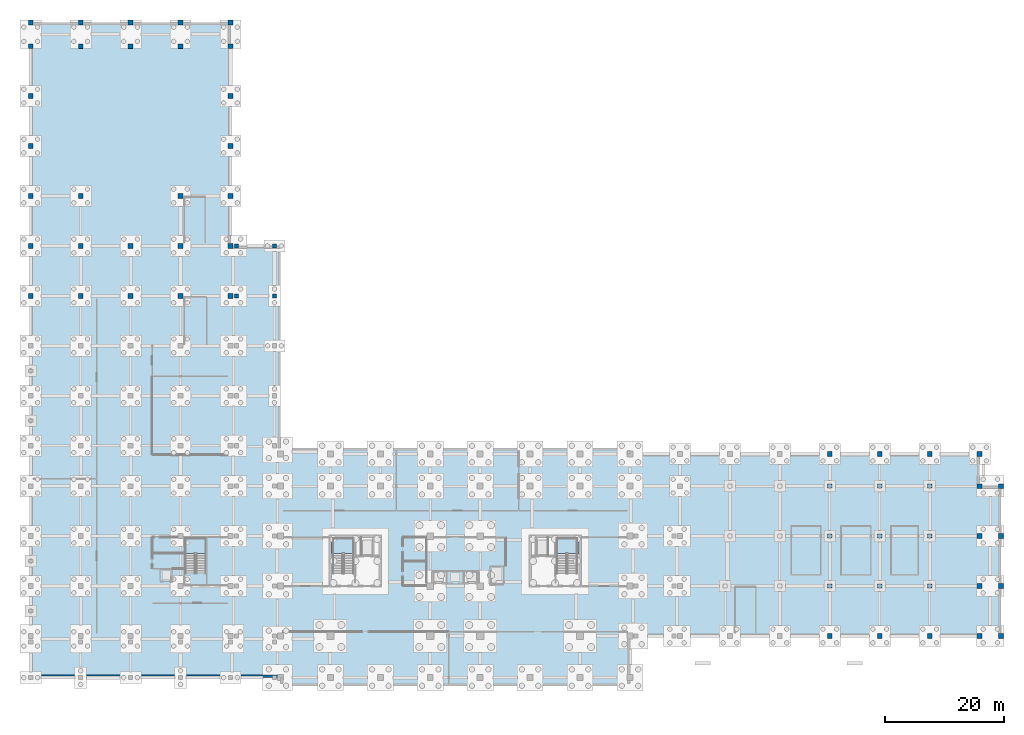
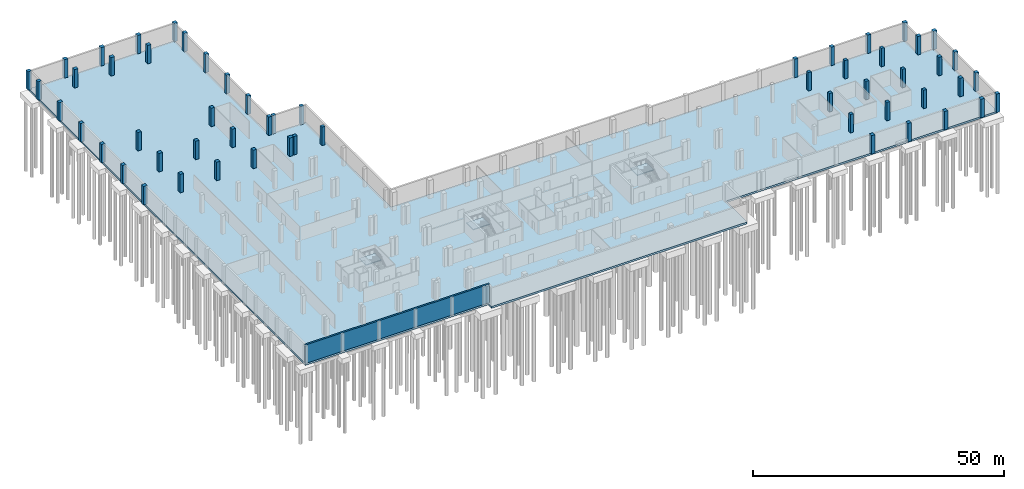
# One storey, part 9 of 17: 56 columns, 4 slabs, 1 wall, 3 elements without a shape of their own.
"""IFC4 building model written with IfcOpenShell, lengths in metres."""

from ifc_helpers import new_model, si_unit, direction, frame, frame_2d, origin, origin_2d, place, context, subcontext, project, spatial, polyline, rectangle, outline, extrude, material, layer, layer_set, material_profile, profile_set, type_object, element, aggregate, save


model = new_model("IFC4")

# Units and contexts
model_context = context("Model", 3, precision=1e-05, world=origin(), true_north=direction((0.0, 1.0)))
body_context = subcontext(model_context, "Body", "Model", "MODEL_VIEW")
ifc_project = project(units=[si_unit("LENGTHUNIT", "METRE"), si_unit("AREAUNIT", "SQUARE_METRE"), si_unit("VOLUMEUNIT", "CUBIC_METRE"), si_unit("PLANEANGLEUNIT", "RADIAN"), si_unit("MASSUNIT", "GRAM", prefix="KILO")], contexts=[model_context])

# Site, building, storey
site_placement = place(None, origin())
site = spatial("IfcSite", under=ifc_project, at=site_placement, CompositionType="ELEMENT")
building_placement = place(site_placement, origin())
building = spatial("IfcBuilding", under=site, at=building_placement, Name="Telukmera Botanical Conservatory", CompositionType="ELEMENT")
storey_placement = place(building_placement, frame((0.0, 0.0, -4.5)))
storey = spatial("IfcBuildingStorey", under=building, at=storey_placement, Name="B1", CompositionType="ELEMENT", Elevation=-4.5)

# Columns
ifc_material_1 = material(Name="Concrete C50/60", Category="concrete")
ifc_material_profile_1 = material_profile(ifc_material_1, rectangle(XDim=0.800048828125, YDim=0.800048828125, at=origin_2d()), Name="RC 800x800")
ifc_profile_set_1 = profile_set([ifc_material_profile_1], Name="Concrete C50/60")
column_type_1 = type_object("IfcColumnType", Name="Col_C7", PredefinedType="COLUMN", material=ifc_profile_set_1)
for number, where, z_axis, x_axis, name in (
    (1, (142.800048828125, 17.60009765625, 0.0), (0.0, 0.0, 1.0), (1.0, 0.0, 0.0), "Column V1-B1 (142.8,17.6)"),
    (2, (142.800048828125, 48.199951171875, 0.0), (0.0, 0.0, 1.0), (1.0, 0.0, 0.0), "Column V1-B1 (142.8,48.2)"),
    (3, (151.199951171875, 17.60009765625, 0.0), (0.0, 0.0, 1.0), (1.0, 0.0, 0.0), "Column V1-B1 (151.2,17.6)"),
    (4, (151.199951171875, 48.199951171875, 0.0), (0.0, 0.0, 1.0), (1.0, 0.0, 0.0), "Column V1-B1 (151.2,48.2)"),
    (5, (159.60009765625, 17.60009765625, 0.0), (0.0, 0.0, 1.0), (1.0, 0.0, 0.0), "Column V1-B1 (159.6,17.6)"),
    (6, (159.60009765625, 48.199951171875, 0.0), (0.0, 0.0, 1.0), (1.0, 0.0, 0.0), "Column V1-B1 (159.6,48.2)"),
    (7, (168.0, 17.60009765625, 0.0), (0.0, 0.0, 1.0), (1.0, 0.0, 0.0), "Column V1-B1 (168.0,17.6)"),
    (8, (168.0, 26.0, 0.0), (0.0, 0.0, 1.0), (1.0, 0.0, 0.0), "Column V1-B1 (168.0,26.0)"),
    (9, (168.0, 34.39990234375, 0.0), (0.0, 0.0, 1.0), (1.0, 0.0, 0.0), "Column V1-B1 (168.0,34.4)"),
    (10, (168.0, 42.800048828125, 0.0), (0.0, 0.0, 1.0), (1.0, 0.0, 0.0), "Column V1-B1 (168.0,42.8)"),
    (11, (168.0, 48.199951171875, 0.0), (0.0, 0.0, 1.0), (1.0, 0.0, 0.0), "Column V1-B1 (168.0,48.2)"),
    (12, (171.60009765625, 17.60009765625, 0.0), (0.0, 0.0, 1.0), (1.0, 0.0, 0.0), "Column V1-B1 (171.6,17.6)"),
    (13, (171.60009765625, 26.0, 0.0), (0.0, 0.0, 1.0), (1.0, 0.0, 0.0), "Column V1-B1 (171.6,26.0)"),
    (14, (171.60009765625, 34.39990234375, 0.0), (0.0, 0.0, 1.0), (1.0, 0.0, 0.0), "Column V1-B1 (171.6,34.4)"),
    (15, (171.60009765625, 42.800048828125, 0.0), (0.0, 0.0, 1.0), (1.0, 0.0, 0.0), "Column V1-B1 (171.6,42.8)"),
    (16, (8.39990234375, 83.199951171875, 0.0), (0.0, 0.0, 1.0), (1.0, 0.0, 0.0), "Column V2-B1 (8.4,83.2)"),
    (17, (8.39990234375, 91.60009765625, 0.0), (0.0, 0.0, 1.0), (1.0, 0.0, 0.0), "Column V2-B1 (8.4,91.6)"),
    (18, (8.39990234375, 100.0, 0.0), (0.0, 0.0, 1.0), (1.0, 0.0, 0.0), "Column V2-B1 (8.4,100.0)"),
    (19, (8.39990234375, 108.39990234375, 0.0), (0.0, 0.0, 1.0), (1.0, 0.0, 0.0), "Column V2-B1 (8.4,108.4)"),
    (20, (8.39990234375, 116.800048828125, 0.0), (0.0, 0.0, 1.0), (1.0, 0.0, 0.0), "Column V2-B1 (8.4,116.8)"),
    (21, (16.800048828125, 83.199951171875, 0.0), (0.0, 0.0, 1.0), (1.0, 0.0, 0.0), "Column V2-B1 (16.8,83.2)"),
    (22, (16.800048828125, 91.60009765625, 0.0), (0.0, 0.0, 1.0), (1.0, 0.0, 0.0), "Column V2-B1 (16.8,91.6)"),
    (23, (16.800048828125, 116.800048828125, 0.0), (0.0, 0.0, 1.0), (1.0, 0.0, 0.0), "Column V2-B1 (16.8,116.8)"),
    (24, (25.199951171875, 83.199951171875, 0.0), (0.0, 0.0, 1.0), (1.0, 0.0, 0.0), "Column V2-B1 (25.2,83.2)"),
    (25, (25.199951171875, 116.800048828125, 0.0), (0.0, 0.0, 1.0), (1.0, 0.0, 0.0), "Column V2-B1 (25.2,116.8)"),
    (26, (33.60009765625, 83.199951171875, 0.0), (0.0, 0.0, 1.0), (1.0, 0.0, 0.0), "Column V2-B1 (33.6,83.2)"),
    (27, (33.60009765625, 91.60009765625, 0.0), (0.0, 0.0, 1.0), (1.0, 0.0, 0.0), "Column V2-B1 (33.6,91.6)"),
    (28, (33.60009765625, 116.800048828125, 0.0), (0.0, 0.0, 1.0), (1.0, 0.0, 0.0), "Column V2-B1 (33.6,116.8)"),
    (29, (42.0, 83.199951171875, 0.0), (0.0, 0.0, 1.0), (1.0, 0.0, 0.0), "Column V2-B1 (42.0,83.2)"),
    (30, (42.0, 91.60009765625, 0.0), (0.0, 0.0, 1.0), (1.0, 0.0, 0.0), "Column V2-B1 (42.0,91.6)"),
    (31, (42.0, 100.0, 0.0), (0.0, 0.0, 1.0), (1.0, 0.0, 0.0), "Column V2-B1 (42.0,100.0)"),
    (32, (42.0, 108.39990234375, 0.0), (0.0, 0.0, 1.0), (1.0, 0.0, 0.0), "Column V2-B1 (42.0,108.4)"),
    (33, (42.0, 116.800048828125, 0.0), (0.0, 0.0, 1.0), (1.0, 0.0, 0.0), "Column V2-B1 (42.0,116.8)"),
    (34, (8.39990234375, 120.800048828125, 0.0), (0.0, 0.0, 1.0), (1.0, 0.0, 0.0), "Column V2-B1 (8.4,120.8)"),
    (35, (16.800048828125, 120.800048828125, 0.0), (0.0, 0.0, 1.0), (1.0, 0.0, 0.0), "Column V2-B1 (16.8,120.8)"),
    (36, (25.199951171875, 120.800048828125, 0.0), (0.0, 0.0, 1.0), (1.0, 0.0, 0.0), "Column V2-B1 (25.2,120.8)"),
    (37, (33.60009765625, 120.800048828125, 0.0), (0.0, 0.0, 1.0), (1.0, 0.0, 0.0), "Column V2-B1 (33.6,120.8)"),
    (38, (42.0, 120.800048828125, 0.0), (0.0, 0.0, 1.0), (1.0, 0.0, 0.0), "Column V2-B1 (42.0,120.8)"),
    (39, (8.39990234375, 74.800048828125, 0.0), (0.0, 0.0, 1.0), (1.0, 0.0, 0.0), "Column V3-B1 (8.4,74.8)"),
    (40, (16.800048828125, 74.800048828125, 0.0), (0.0, 0.0, 1.0), (1.0, 0.0, 0.0), "Column V3-B1 (16.8,74.8)"),
    (41, (25.199951171875, 74.800048828125, 0.0), (0.0, 0.0, 1.0), (1.0, 0.0, 0.0), "Column V3-B1 (25.2,74.8)"),
    (42, (33.60009765625, 74.800048828125, 0.0), (0.0, 0.0, 1.0), (1.0, 0.0, 0.0), "Column V3-B1 (33.6,74.8)"),
    (43, (42.0, 74.800048828125, 0.0), (0.0, 0.0, 1.0), (1.0, 0.0, 0.0), "Column V3-B1 (42.0,74.8)"),
):
    element("IfcColumn", number, at=place(storey_placement, frame(where, z_axis=z_axis, x_axis=x_axis)), inside=storey, type_object=column_type_1, Name=name, PredefinedType="COLUMN", context=body_context, shape_type="SweptSolid", body=[
        extrude(rectangle(XDim=0.800048828125, YDim=0.800048828125, at=origin_2d()), origin(), (0.0, 0.0, 1.0), 4.5),
    ])
ifc_material_2 = material(Name="Concrete C40/50", Category="concrete")
ifc_material_profile_2 = material_profile(ifc_material_2, rectangle(XDim=0.699951171875, YDim=0.699951171875, at=origin_2d()), Name="RC 700x700")
ifc_profile_set_2 = profile_set([ifc_material_profile_2], Name="Concrete C40/50")
column_type_2 = type_object("IfcColumnType", Name="Col_C9", PredefinedType="COLUMN", material=ifc_profile_set_2)
for number, where, z_axis, x_axis, name in (
    (44, (142.800048828125, 26.0, 0.0), (0.0, 0.0, 1.0), (1.0, 0.0, 0.0), "Column V1-B1 (142.8,26.0)"),
    (45, (142.800048828125, 34.39990234375, 0.0), (0.0, 0.0, 1.0), (1.0, 0.0, 0.0), "Column V1-B1 (142.8,34.4)"),
    (46, (142.800048828125, 42.800048828125, 0.0), (0.0, 0.0, 1.0), (1.0, 0.0, 0.0), "Column V1-B1 (142.8,42.8)"),
    (47, (151.199951171875, 26.0, 0.0), (0.0, 0.0, 1.0), (1.0, 0.0, 0.0), "Column V1-B1 (151.2,26.0)"),
    (48, (151.199951171875, 34.39990234375, 0.0), (0.0, 0.0, 1.0), (1.0, 0.0, 0.0), "Column V1-B1 (151.2,34.4)"),
    (49, (151.199951171875, 42.800048828125, 0.0), (0.0, 0.0, 1.0), (1.0, 0.0, 0.0), "Column V1-B1 (151.2,42.8)"),
    (50, (159.60009765625, 26.0, 0.0), (0.0, 0.0, 1.0), (1.0, 0.0, 0.0), "Column V1-B1 (159.6,26.0)"),
    (51, (159.60009765625, 34.39990234375, 0.0), (0.0, 0.0, 1.0), (1.0, 0.0, 0.0), "Column V1-B1 (159.6,34.4)"),
    (52, (159.60009765625, 42.800048828125, 0.0), (0.0, 0.0, 1.0), (1.0, 0.0, 0.0), "Column V1-B1 (159.6,42.8)"),
    (53, (43.0, 74.800048828125, 0.0), (0.0, 0.0, 1.0), (1.0, 0.0, 0.0), "Column V5-B1 (43.0,74.8)"),
    (54, (49.39990234375, 74.800048828125, 0.0), (0.0, 0.0, 1.0), (1.0, 0.0, 0.0), "Column V5-B1 (49.4,74.8)"),
    (55, (43.0, 83.199951171875, 0.0), (0.0, 0.0, 1.0), (1.0, 0.0, 0.0), "Column V5-B1 (43.0,83.2)"),
    (56, (49.39990234375, 83.199951171875, 0.0), (0.0, 0.0, 1.0), (1.0, 0.0, 0.0), "Column V5-B1 (49.4,83.2)"),
):
    element("IfcColumn", number, at=place(storey_placement, frame(where, z_axis=z_axis, x_axis=x_axis)), inside=storey, type_object=column_type_2, Name=name, PredefinedType="COLUMN", context=body_context, shape_type="SweptSolid", body=[
        extrude(rectangle(XDim=0.699951171875, YDim=0.699951171875, at=origin_2d()), origin(), (0.0, 0.0, 1.0), 4.5),
    ])

# Stair, slab
stair_type = type_object("IfcStairType", Name="ST-ESC-4500", PredefinedType="HALF_TURN_STAIR", material=ifc_material_2)
stair_1_placement = place(storey_placement, origin())
stair_1 = element("IfcStair", 57, at=stair_1_placement, inside=storey, type_object=stair_type, Name="B1 Protected Escape Stair ST1", PredefinedType="HALF_TURN_STAIR")
ifc_layer_1 = layer(ifc_material_2, 0.199951171875)
ifc_layer_set_1 = layer_set([ifc_layer_1], Name="Concrete C40/50")
slab_type_1 = type_object("IfcSlabType", Name="SL-LAND-200", PredefinedType="LANDING", material=ifc_layer_set_1)
slab_1_placement = place(storey_placement, frame((0.0, 0.0, 2.050048828125)))
slab_1 = element("IfcSlab", 58, at=slab_1_placement, type_object=slab_type_1, Name="ST1 landing 1", PredefinedType="LANDING", context=body_context, shape_type="SweptSolid", body=[
    extrude(outline(polyline([(59.0048828125, 31.449951171875), (62.844970703125, 31.449951171875), (62.844970703125, 34.195068359375), (59.0048828125, 34.195068359375), (59.0048828125, 31.449951171875)])), origin(), (0.0, 0.0, 1.0), 0.199951171875),
])
aggregate(stair_1, [slab_1])

stair_2_placement = place(storey_placement, origin())
stair_2 = element("IfcStair", 59, at=stair_2_placement, inside=storey, type_object=stair_type, Name="B1 Protected Escape Stair ST2", PredefinedType="HALF_TURN_STAIR")
slab_2_placement = place(storey_placement, frame((0.0, 0.0, 2.050048828125)))
slab_2 = element("IfcSlab", 60, at=slab_2_placement, type_object=slab_type_1, Name="ST2 landing 1", PredefinedType="LANDING", context=body_context, shape_type="SweptSolid", body=[
    extrude(outline(polyline([(96.7548828125, 31.449951171875), (100.594970703125, 31.449951171875), (100.594970703125, 34.195068359375), (96.7548828125, 34.195068359375), (96.7548828125, 31.449951171875)])), origin(), (0.0, 0.0, 1.0), 0.199951171875),
])
aggregate(stair_2, [slab_2])

stair_3_placement = place(storey_placement, origin())
stair_3 = element("IfcStair", 61, at=stair_3_placement, inside=storey, type_object=stair_type, Name="B1 Protected Escape Stair ST3", PredefinedType="HALF_TURN_STAIR")
slab_3_placement = place(storey_placement, frame((0.0, 0.0, 2.050048828125)))
slab_3 = element("IfcSlab", 62, at=slab_3_placement, type_object=slab_type_1, Name="ST3 landing 1", PredefinedType="LANDING", context=body_context, shape_type="SweptSolid", body=[
    extrude(outline(polyline([(34.35009765625, 31.449951171875), (37.929931640625, 31.449951171875), (37.929931640625, 34.1201171875), (34.35009765625, 34.1201171875), (34.35009765625, 31.449951171875)])), origin(), (0.0, 0.0, 1.0), 0.199951171875),
])
aggregate(stair_3, [slab_3])

# Slab
ifc_layer_2 = layer(ifc_material_2, 0.449951171875)
ifc_layer_set_2 = layer_set([ifc_layer_2], Name="Concrete C40/50")
slab_type_2 = type_object("IfcSlabType", Name="Slab_BS1", PredefinedType="BASESLAB", material=ifc_layer_set_2)
slab_4_placement = place(storey_placement, frame((0.0, 0.0, -0.449951171875)))
element("IfcSlab", 63, at=slab_4_placement, inside=storey, type_object=slab_type_2, Name="Basement B1 Unified Base Slab", PredefinedType="BASESLAB", context=body_context, shape_type="SweptSolid", body=[
    extrude(outline(polyline([(8.39990234375, 10.60009765625), (50.39990234375, 10.60009765625), (50.39990234375, 9.199951171875), (109.199951171875, 9.199951171875), (109.199951171875, 17.60009765625), (171.60009765625, 17.60009765625), (171.60009765625, 42.800048828125), (168.0, 42.800048828125), (168.0, 48.199951171875), (109.199951171875, 48.199951171875), (109.199951171875, 49.199951171875), (50.39990234375, 49.199951171875), (50.39990234375, 83.199951171875), (42.0, 83.199951171875), (42.0, 120.800048828125), (8.39990234375, 120.800048828125), (8.39990234375, 10.60009765625)])), origin(), (0.0, 0.0, 1.0), 0.449951171875),
])

# Wall
ifc_layer_3 = layer(ifc_material_2, 0.39990234375)
ifc_layer_set_3 = layer_set([ifc_layer_3], Name="Concrete C40/50")
wall_type = type_object("IfcWallType", Name="Wall_RW1", PredefinedType="USERDEFINED", material=ifc_layer_set_3)
wall_placement = place(storey_placement, frame((8.39990234375, 10.800048828125, 0.0), z_axis=(0.0, 0.0, 1.0), x_axis=(1.0, 0.0, 0.0)))
element("IfcWall", 64, at=wall_placement, inside=storey, type_object=wall_type, Name="Basement Perimeter Retaining Wall RW1-01", ObjectType="RETAININGWALL", PredefinedType="USERDEFINED", context=body_context, shape_type="SweptSolid", body=[
    extrude(rectangle(XDim=42.400146484375, YDim=0.39990234375, at=frame_2d((21.2001953125, 0.0))), origin(), (0.0, 0.0, 1.0), 4.5),
])

save(model, "model.ifc")
